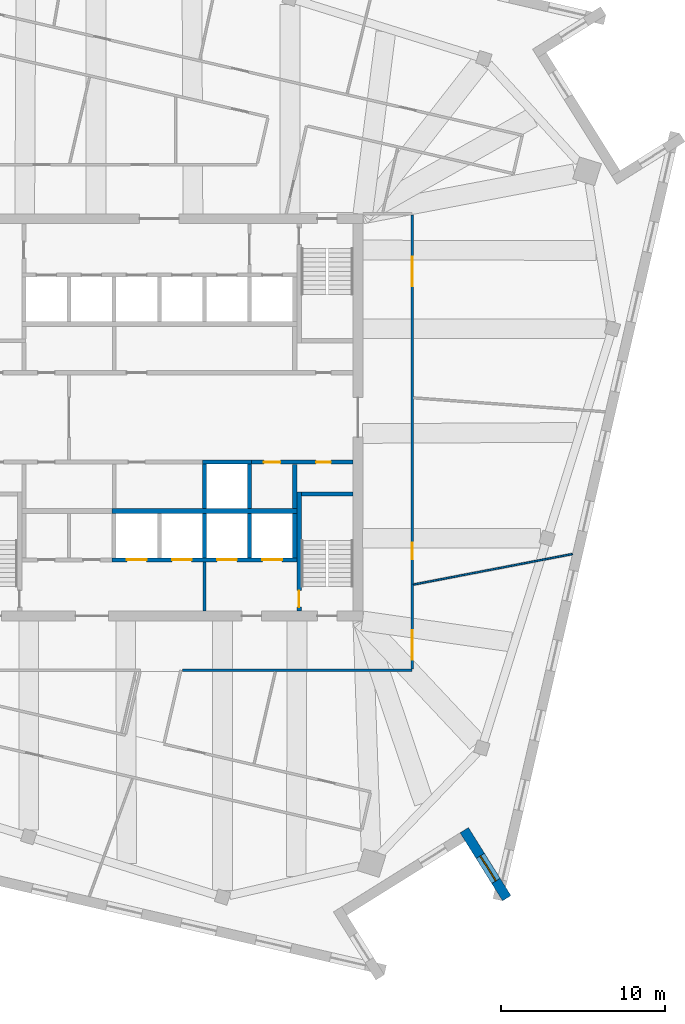
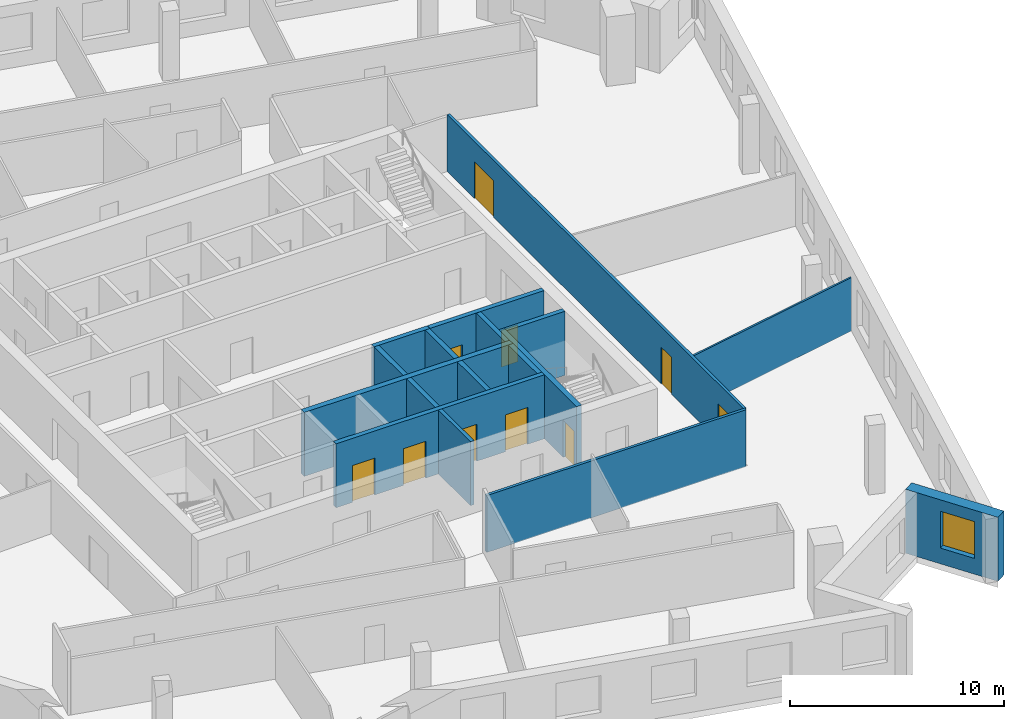
# One storey, part 7 of 14: 17 walls, 10 doors, 1 window, 11 openings.
"""IFC4 building model written with IfcOpenShell, lengths in metres."""

import ifcopenshell
import ifcopenshell.guid

model = None  # the IFC model being written
_history = None  # IfcOwnerHistory: only IFC2X3 demands one
_inside = {}  # id of a spatial element -> (the spatial element, [elements in it])
_under = {}  # id of a project, library or spatial element -> (it, [spatial elements below it])
_declared = {}  # id of a project -> (the project, [libraries it declares])
_typed = {}  # id of a type object -> (the type object, [elements of that type])
_made_of = {}  # id of a material, layer set ... -> (it, [elements and type objects made of it])


def new_model(schema):
    """Start an empty IFC model of exactly this schema.

    Asked for "IFC4X3", IfcOpenShell would pick the latest addendum, in which some entities
    have other attributes; the version numbers below select the first issue.
    IFC2X3 requires an IfcOwnerHistory on every rooted entity: one is made here for all.
    """
    global model, _history
    if schema == "IFC4X3":
        model = ifcopenshell.file(schema_version=(4, 3, 0, 0))
    else:
        model = ifcopenshell.file(schema=schema)
    _inside.clear()
    _under.clear()
    _declared.clear()
    _typed.clear()
    _made_of.clear()
    _history = None
    if model.schema == "IFC2X3":
        org = make("IfcOrganization", Name="unknown")
        user = make(
            "IfcPersonAndOrganization",
            ThePerson=make("IfcPerson", FamilyName="unknown"),
            TheOrganization=org,
        )
        app = make(
            "IfcApplication",
            ApplicationDeveloper=org,
            Version="unknown",
            ApplicationFullName="unknown",
            ApplicationIdentifier="unknown",
        )
        _history = make(
            "IfcOwnerHistory",
            OwningUser=user,
            OwningApplication=app,
            ChangeAction="ADDED",
            CreationDate=0,
        )
    return model


def make(cls, **values):
    """One entity of the class cls with the attributes given. An attribute that is None is left unset."""
    return model.create_entity(
        cls, **{name: value for name, value in values.items() if value is not None}
    )


def rooted(cls, **values):
    """An entity with a GlobalId (a new one), such as an element, a storey or a relation."""
    return make(cls, GlobalId=ifcopenshell.guid.new(), OwnerHistory=_history, **values)


def si_unit(unit_type, name, prefix=None):
    """IfcSIUnit, for example si_unit("LENGTHUNIT", "METRE", prefix="MILLI")."""
    return make("IfcSIUnit", UnitType=unit_type, Prefix=prefix, Name=name)


def assignment(units):
    """IfcUnitAssignment: the units of a project."""
    return None if units is None else make("IfcUnitAssignment", Units=units)


def point(xyz):
    """IfcCartesianPoint."""
    return None if xyz is None else make("IfcCartesianPoint", Coordinates=xyz)


def direction(xyz):
    """IfcDirection."""
    return None if xyz is None else make("IfcDirection", DirectionRatios=xyz)


def frame(location, z_axis=None, x_axis=None):
    """IfcAxis2Placement3D, a coordinate frame: its origin and axes. An axis left out is left unset."""
    return make(
        "IfcAxis2Placement3D",
        Location=point(location),
        Axis=direction(z_axis),
        RefDirection=direction(x_axis),
    )


def frame_2d(location, x_axis=None):
    """IfcAxis2Placement2D, a coordinate frame in the plane: its origin and x axis."""
    return make(
        "IfcAxis2Placement2D", Location=point(location), RefDirection=direction(x_axis)
    )


def origin():
    """The frame at (0, 0, 0) with its axes left unset."""
    return frame((0.0, 0.0, 0.0))


def place(relative_to, where):
    """IfcLocalPlacement: puts the frame where relative to a parent placement (None: the world)."""
    return make(
        "IfcLocalPlacement", PlacementRelTo=relative_to, RelativePlacement=where
    )


def context(
    kind, dimensions, precision=None, world=None, true_north=None, identifier=None
):
    """IfcGeometricRepresentationContext, for example the 3D "Model" context."""
    return make(
        "IfcGeometricRepresentationContext",
        ContextIdentifier=identifier,
        ContextType=kind,
        CoordinateSpaceDimension=dimensions,
        Precision=precision,
        WorldCoordinateSystem=world,
        TrueNorth=true_north,
    )


def subcontext(parent, identifier, kind, view, scale=None):
    """IfcGeometricRepresentationSubContext, for example "Body" below "Model"."""
    return make(
        "IfcGeometricRepresentationSubContext",
        ContextIdentifier=identifier,
        ContextType=kind,
        ParentContext=parent,
        TargetScale=scale,
        TargetView=view,
    )


def project(units=None, contexts=None):
    """IfcProject with its units and contexts."""
    return rooted(
        "IfcProject",
        Name="project",
        RepresentationContexts=contexts,
        UnitsInContext=assignment(units),
    )


def spatial(cls, under=None, at=None, **own):
    """A site, building, storey or space (cls), placed at a placement, below another one or the project."""
    s = rooted(cls, ObjectPlacement=at, **own)
    if under is not None:
        _under.setdefault(under.id(), (under, []))[1].append(s)
    return s


def profile(cls, at=None, kind="AREA", **sizes):
    """A parametric profile (cls). Its sizes go by their IFC names, for example OverallWidth=200.0."""
    return make(cls, ProfileType=kind, Position=at, **sizes)


def rectangle(**sizes):
    """IfcRectangleProfileDef."""
    return profile("IfcRectangleProfileDef", **sizes)


def extrude(swept, where, along, depth):
    """IfcExtrudedAreaSolid: the profile swept, set in the frame where, extruded along a direction by depth."""
    return make(
        "IfcExtrudedAreaSolid",
        SweptArea=swept,
        Position=where,
        ExtrudedDirection=direction(along),
        Depth=depth,
    )


def shape(context_of_items, identifier, shape_type, items):
    """IfcShapeRepresentation: the items that make up one representation, for example the "Body"."""
    return make(
        "IfcShapeRepresentation",
        ContextOfItems=context_of_items,
        RepresentationIdentifier=identifier,
        RepresentationType=shape_type,
        Items=items,
    )


def material(Name=None, Category=None):
    """IfcMaterial."""
    return make("IfcMaterial", Name=Name, Category=Category)


def layer(
    of_material, thickness, ventilated=None, Name=None, Category=None, Priority=None
):
    """IfcMaterialLayer: one layer of a wall or slab, of a material (None: an air gap)."""
    return make(
        "IfcMaterialLayer",
        Material=of_material,
        LayerThickness=thickness,
        IsVentilated=ventilated,
        Name=Name,
        Category=Category,
        Priority=Priority,
    )


def layer_set(layers, Name=None):
    """IfcMaterialLayerSet."""
    return make("IfcMaterialLayerSet", MaterialLayers=layers, LayerSetName=Name)


def made_of(thing, what):
    """Note that an element or type object is made of a material, layer set ...; save() writes the relation."""
    if what is not None:
        _made_of.setdefault(what.id(), (what, []))[1].append(thing)
    return thing


def type_object(cls, material=None, **own):
    """A type object (cls), such as IfcWallType, which elements share."""
    return made_of(rooted(cls, **own), material)


def element(
    cls,
    number,
    at=None,
    inside=None,
    cuts=None,
    type_object=None,
    material=None,
    context=None,
    identifier="Body",
    shape_type=None,
    held_by="IfcProductDefinitionShape",
    body=None,
    shapes=None,
    **own,
):
    """One element of the class cls, such as IfcWall. Its Tag is "e" and its number.

    at: its placement. inside: the storey or other place that contains it. cuts: it is an
    opening in that element (IfcRelVoidsElement). A single representation is given by context,
    identifier, shape_type and body (its items); several are given by shapes. held_by: the class
    of the entity that holds the representations. save() writes the other relations.
    """
    e = rooted(cls, Tag="e%d" % number, ObjectPlacement=at, **own)
    if body is not None:
        shapes = [shape(context, identifier, shape_type, body)]
    if shapes is not None:
        e.Representation = make(held_by, Representations=shapes)
    if inside is not None:
        _inside.setdefault(inside.id(), (inside, []))[1].append(e)
    if cuts is not None:
        rooted(
            "IfcRelVoidsElement", RelatingBuildingElement=cuts, RelatedOpeningElement=e
        )
    if type_object is not None:
        _typed.setdefault(type_object.id(), (type_object, []))[1].append(e)
    return made_of(e, material)


def fill(opening, filler):
    """IfcRelFillsElement: the door or window that sits in an opening."""
    return rooted(
        "IfcRelFillsElement",
        RelatingOpeningElement=opening,
        RelatedBuildingElement=filler,
    )


def aggregate(whole, parts):
    """IfcRelAggregates: a whole, such as a stair, and the parts it consists of."""
    return rooted("IfcRelAggregates", RelatingObject=whole, RelatedObjects=parts)


def save(model, path):
    """Write the relations noted so far, then the file.

    IfcRelAggregates (storeys below a building ...), IfcRelContainedInSpatialStructure (elements
    in a storey), IfcRelDefinesByType, IfcRelAssociatesMaterial and IfcRelDeclares: one each for
    every whole, place, type object, material and project.
    """
    for whole, parts in _under.values():
        aggregate(whole, parts)
    for where, things in _inside.values():
        rooted(
            "IfcRelContainedInSpatialStructure",
            RelatedElements=things,
            RelatingStructure=where,
        )
    for kind, things in _typed.values():
        rooted("IfcRelDefinesByType", RelatedObjects=things, RelatingType=kind)
    for what, things in _made_of.values():
        rooted("IfcRelAssociatesMaterial", RelatedObjects=things, RelatingMaterial=what)
    for by, libraries in _declared.values():
        rooted("IfcRelDeclares", RelatingContext=by, RelatedDefinitions=libraries)
    model.write(path)


model = new_model("IFC4")

# Units and contexts
model_context = context("Model", 3, precision=1e-05, world=origin(), true_north=direction((0.0, 1.0)))
body_context = subcontext(model_context, "Body", "Model", "MODEL_VIEW")
ifc_project = project(units=[si_unit("LENGTHUNIT", "METRE"), si_unit("AREAUNIT", "SQUARE_METRE"), si_unit("VOLUMEUNIT", "CUBIC_METRE"), si_unit("PLANEANGLEUNIT", "RADIAN"), si_unit("MASSUNIT", "GRAM", prefix="KILO")], contexts=[model_context])

# Site, building, storey
site_placement = place(None, origin())
site = spatial("IfcSite", under=ifc_project, at=site_placement, CompositionType="ELEMENT")
building_placement = place(site_placement, origin())
building = spatial("IfcBuilding", under=site, at=building_placement, Name="Dilmun Exchange Tower", CompositionType="ELEMENT")
storey_placement = place(building_placement, frame((0.0, 0.0, 332.5)))
storey = spatial("IfcBuildingStorey", under=building, at=storey_placement, Name="L79", CompositionType="ELEMENT", Elevation=332.5)

# Walls
ifc_material_1 = material(Name="Concrete C40/50", Category="concrete")
ifc_layer_1 = layer(ifc_material_1, 0.199951171875)
ifc_layer_set_1 = layer_set([ifc_layer_1], Name="Concrete C40/50")
wall_type_1 = type_object("IfcWallType", Name="Core partition wall 200", PredefinedType="PARTITIONING", material=ifc_layer_set_1)
wall_1_placement = place(storey_placement, frame((2.75, -11.794921875, 0.0), z_axis=(0.0, 0.0, 1.0), x_axis=(0.0, 1.0, 0.0)))
element("IfcWall", 1, at=wall_1_placement, inside=storey, type_object=wall_type_1, Name="L79 core partition wall 01", PredefinedType="PARTITIONING", context=body_context, shape_type="SweptSolid", body=[
    extrude(rectangle(XDim=2.989990234375, YDim=0.199951171875, at=frame_2d((1.4951171875, 0.0))), origin(), (0.0, 0.0, 1.0), 3.64990234375),
])
ifc_layer_2 = layer(ifc_material_1, 0.25)
ifc_layer_set_2 = layer_set([ifc_layer_2], Name="Concrete C40/50")
wall_type_2 = type_object("IfcWallType", Name="Core partition wall 250", PredefinedType="PARTITIONING", material=ifc_layer_set_2)
wall_2_placement = place(storey_placement, frame((8.25, -5.544921875, 0.0), z_axis=(0.0, 0.0, 1.0), x_axis=(0.0, 1.0, 0.0)))
element("IfcWall", 2, at=wall_2_placement, inside=storey, type_object=wall_type_2, Name="L79 core partition wall 08", PredefinedType="PARTITIONING", context=body_context, shape_type="SweptSolid", body=[
    extrude(rectangle(XDim=2.68994140625, YDim=0.25, at=frame_2d((1.344970703125, 0.0))), origin(), (0.0, 0.0, 1.0), 3.64990234375),
])

# Wall, openings, doors
wall_3_placement = place(storey_placement, frame((5.6298828125, -2.72509765625, 0.0), z_axis=(0.0, 0.0, 1.0), x_axis=(1.0, 0.0, 0.0)))
wall_3 = element("IfcWall", 3, at=wall_3_placement, inside=storey, type_object=wall_type_2, Name="L79 core partition wall 10", PredefinedType="PARTITIONING", context=body_context, shape_type="SweptSolid", body=[
    extrude(rectangle(XDim=6.1650390625, YDim=0.25, at=frame_2d((3.08251953125, 0.0))), origin(), (0.0, 0.0, 1.0), 3.64990234375),
])
opening_1_placement = place(wall_3_placement, frame((0.7451171875, 0.0, 0.0)))
opening_1 = element("IfcOpeningElement", 4, at=opening_1_placement, cuts=wall_3, Name="Opening CD4", PredefinedType="OPENING", context=body_context, shape_type="SweptSolid", body=[
    extrude(rectangle(XDim=1.0, YDim=2.10009765625, at=frame_2d((0.5, 1.050048828125))), frame((0.0, 0.135009765625, 0.0), z_axis=(0.0, -1.0, 0.0), x_axis=(1.0, 0.0, 0.0)), (0.0, 0.0, 1.0), 0.27001953125),
])
opening_2_placement = place(wall_3_placement, frame((3.919921875, 0.0, 0.0)))
opening_2 = element("IfcOpeningElement", 5, at=opening_2_placement, cuts=wall_3, Name="Opening CD6", PredefinedType="OPENING", context=body_context, shape_type="SweptSolid", body=[
    extrude(rectangle(XDim=0.89990234375, YDim=2.10009765625, at=frame_2d((0.449951171875, 1.050048828125))), frame((0.0, 0.135009765625, 0.0), z_axis=(0.0, -1.0, 0.0), x_axis=(1.0, 0.0, 0.0)), (0.0, 0.0, 1.0), 0.27001953125),
])
ifc_material_2 = material(Name="Fire-rated steel door set", Category="steel")
door_type_1 = type_object("IfcDoorType", Name="Core room door 1000x2100", OperationType="SINGLE_SWING_LEFT", PredefinedType="DOOR", material=ifc_material_2)
door_1_placement = place(opening_1_placement, origin())
door_1 = element("IfcDoor", 6, at=door_1_placement, inside=storey, type_object=door_type_1, Name="L79 door Cleaners' store", OperationType="SINGLE_SWING_RIGHT", OverallHeight=2.10009765625, OverallWidth=1.0, PredefinedType="DOOR", context=body_context, shape_type="SweptSolid", body=[
    extrude(rectangle(XDim=1.0, YDim=2.10009765625, at=frame_2d((0.5, 1.050048828125))), frame((0.0, 0.02490234375, 0.0), z_axis=(0.0, -1.0, 0.0), x_axis=(1.0, 0.0, 0.0)), (0.0, 0.0, 1.0), 0.050048828125),
])
fill(opening_1, door_1)
door_type_2 = type_object("IfcDoorType", Name="Core room door 900x2100", OperationType="SINGLE_SWING_LEFT", PredefinedType="DOOR", material=ifc_material_2)
door_2_placement = place(opening_2_placement, origin())
door_2 = element("IfcDoor", 7, at=door_2_placement, inside=storey, type_object=door_type_2, Name="L79 door Comms riser", OperationType="SINGLE_SWING_RIGHT", OverallHeight=2.10009765625, OverallWidth=0.89990234375, PredefinedType="DOOR", context=body_context, shape_type="SweptSolid", body=[
    extrude(rectangle(XDim=0.89990234375, YDim=2.10009765625, at=frame_2d((0.449951171875, 1.050048828125))), frame((0.0, 0.02490234375, 0.0), z_axis=(0.0, -1.0, 0.0), x_axis=(1.0, 0.0, 0.0)), (0.0, 0.0, 1.0), 0.050048828125),
])
fill(opening_2, door_2)

# Wall
ifc_material_3 = material(Name="Corridor wall 150")
ifc_layer_3 = layer(ifc_material_3, 0.14990234375)
ifc_layer_set_3 = layer_set([ifc_layer_3], Name="Corridor wall 150")
wall_type_3 = type_object("IfcWallType", Name="Corridor wall 150", PredefinedType="PARTITIONING", material=ifc_layer_set_3)
wall_4_placement = place(storey_placement, frame((1.40625, -15.39990234375, 0.0), z_axis=(0.0, 0.0, 1.0), x_axis=(1.0, 0.0, 0.0)))
element("IfcWall", 8, at=wall_4_placement, inside=storey, type_object=wall_type_3, Name="Corridor wall", PredefinedType="PARTITIONING", context=body_context, shape_type="SweptSolid", body=[
    extrude(rectangle(XDim=13.99365234375, YDim=0.14990234375, at=frame_2d((6.996826171875, 0.0))), origin(), (0.0, 0.0, 1.0), 3.25),
])

# Wall, openings, doors
wall_5_placement = place(storey_placement, frame((15.39990234375, -15.324951171875, 0.0), z_axis=(0.0, 0.0, 1.0), x_axis=(0.0, 1.0, 0.0)))
wall_5 = element("IfcWall", 9, at=wall_5_placement, inside=storey, type_object=wall_type_3, Name="Corridor wall", PredefinedType="PARTITIONING", context=body_context, shape_type="SweptSolid", body=[
    extrude(rectangle(XDim=27.64990234375, YDim=0.14990234375, at=frame_2d((13.824951171875, 0.0))), origin(), (0.0, 0.0, 1.0), 3.25),
])
opening_3_placement = place(wall_5_placement, frame((0.550048828125, 0.0, 0.0)))
opening_3 = element("IfcOpeningElement", 10, at=opening_3_placement, cuts=wall_5, Name="Opening TF79-D15", PredefinedType="OPENING", context=body_context, shape_type="SweptSolid", body=[
    extrude(rectangle(XDim=1.800048828125, YDim=2.10009765625, at=frame_2d((0.89990234375, 1.050048828125))), frame((0.0, 0.0849609375, 0.0), z_axis=(0.0, -1.0, 0.0), x_axis=(1.0, 0.0, 0.0)), (0.0, 0.0, 1.0), 0.169921875),
])
opening_4_placement = place(wall_5_placement, frame((6.677734375, 0.0, 0.0)))
opening_4 = element("IfcOpeningElement", 11, at=opening_4_placement, cuts=wall_5, Name="Opening TF79-D17", PredefinedType="OPENING", context=body_context, shape_type="SweptSolid", body=[
    extrude(rectangle(XDim=1.0, YDim=2.10009765625, at=frame_2d((0.5, 1.050048828125))), frame((0.0, 0.0849609375, 0.0), z_axis=(0.0, -1.0, 0.0), x_axis=(1.0, 0.0, 0.0)), (0.0, 0.0, 1.0), 0.169921875),
])
opening_5_placement = place(wall_5_placement, frame((23.322021484375, 0.0, 0.0)))
opening_5 = element("IfcOpeningElement", 12, at=opening_5_placement, cuts=wall_5, Name="Opening TF79-D18", PredefinedType="OPENING", context=body_context, shape_type="SweptSolid", body=[
    extrude(rectangle(XDim=1.800048828125, YDim=2.10009765625, at=frame_2d((0.89990234375, 1.050048828125))), frame((0.0, 0.0849609375, 0.0), z_axis=(0.0, -1.0, 0.0), x_axis=(1.0, 0.0, 0.0)), (0.0, 0.0, 1.0), 0.169921875),
])
ifc_material_4 = material(Name="Fire door 1000 x 2100")
door_type_3 = type_object("IfcDoorType", Name="Fire door 1000 x 2100", OperationType="NOTDEFINED", PredefinedType="DOOR", material=ifc_material_4)
door_3_placement = place(opening_4_placement, frame((1.0, 0.0, 0.0), z_axis=(0.0, 0.0, 1.0), x_axis=(-1.0, 0.0, 0.0)))
door_3 = element("IfcDoor", 13, at=door_3_placement, inside=storey, type_object=door_type_3, Name="Door TF79-D17", OperationType="SINGLE_SWING_LEFT", OverallHeight=2.10009765625, OverallWidth=1.0, PredefinedType="DOOR", context=body_context, shape_type="SweptSolid", body=[
    extrude(rectangle(XDim=1.0, YDim=2.10009765625, at=frame_2d((0.5, 1.050048828125))), frame((0.0, 0.02490234375, 0.0), z_axis=(0.0, -1.0, 0.0), x_axis=(1.0, 0.0, 0.0)), (0.0, 0.0, 1.0), 0.050048828125),
])
fill(opening_4, door_3)
ifc_material_5 = material(Name="Fire door pair 1800 x 2100")
door_type_4 = type_object("IfcDoorType", Name="Fire door pair 1800 x 2100", OperationType="NOTDEFINED", PredefinedType="DOOR", material=ifc_material_5)
door_4_placement = place(opening_3_placement, frame((1.800048828125, 0.0, 0.0), z_axis=(0.0, 0.0, 1.0), x_axis=(-1.0, 0.0, 0.0)))
door_4 = element("IfcDoor", 14, at=door_4_placement, inside=storey, type_object=door_type_4, Name="Door TF79-D15", OperationType="DOUBLE_DOOR_SINGLE_SWING", OverallHeight=2.10009765625, OverallWidth=1.800048828125, PredefinedType="DOOR", context=body_context, shape_type="SweptSolid", body=[
    extrude(rectangle(XDim=1.800048828125, YDim=2.10009765625, at=frame_2d((0.89990234375, 1.050048828125))), frame((0.0, 0.02490234375, 0.0), z_axis=(0.0, -1.0, 0.0), x_axis=(1.0, 0.0, 0.0)), (0.0, 0.0, 1.0), 0.050048828125),
])
fill(opening_3, door_4)
door_5_placement = place(opening_5_placement, frame((1.800048828125, 0.0, 0.0), z_axis=(0.0, 0.0, 1.0), x_axis=(-1.0, 0.0, 0.0)))
door_5 = element("IfcDoor", 15, at=door_5_placement, inside=storey, type_object=door_type_4, Name="Door TF79-D18", OperationType="DOUBLE_DOOR_SINGLE_SWING", OverallHeight=2.10009765625, OverallWidth=1.800048828125, PredefinedType="DOOR", context=body_context, shape_type="SweptSolid", body=[
    extrude(rectangle(XDim=1.800048828125, YDim=2.10009765625, at=frame_2d((0.89990234375, 1.050048828125))), frame((0.0, 0.02490234375, 0.0), z_axis=(0.0, -1.0, 0.0), x_axis=(1.0, 0.0, 0.0)), (0.0, 0.0, 1.0), 0.050048828125),
])
fill(opening_5, door_5)

# Walls
ifc_layer_4 = layer(ifc_material_1, 0.300048828125)
ifc_layer_set_4 = layer_set([ifc_layer_4], Name="Concrete C40/50")
wall_type_4 = type_object("IfcWallType", Name="Lift shaft shared wall 300", PredefinedType="SOLIDWALL", material=ifc_layer_set_4)
wall_6_placement = place(storey_placement, frame((-2.875, -5.699951171875, 0.0), z_axis=(0.0, 0.0, 1.0), x_axis=(1.0, 0.0, 0.0)))
element("IfcWall", 16, at=wall_6_placement, inside=storey, type_object=wall_type_4, Name="L79 lift shaft rear wall S", PredefinedType="SOLIDWALL", context=body_context, shape_type="SweptSolid", body=[
    extrude(rectangle(XDim=11.25, YDim=0.300048828125, at=frame_2d((5.625, 0.0))), origin(), (0.0, 0.0, 1.0), 3.64990234375),
])
ifc_layer_5 = layer(ifc_material_1, 0.25)
ifc_layer_set_5 = layer_set([ifc_layer_5], Name="Concrete C40/50")
wall_type_5 = type_object("IfcWallType", Name="Lift shaft wall 250", PredefinedType="SOLIDWALL", material=ifc_layer_set_5)
wall_7_placement = place(storey_placement, frame((2.625, -2.72509765625, 0.0), z_axis=(0.0, 0.0, 1.0), x_axis=(1.0, 0.0, 0.0)))
element("IfcWall", 17, at=wall_7_placement, inside=storey, type_object=wall_type_5, Name="L79 lift shaft front wall S1", PredefinedType="SOLIDWALL", context=body_context, shape_type="SweptSolid", body=[
    extrude(rectangle(XDim=3.0, YDim=0.25, at=frame_2d((1.5, 0.0))), origin(), (0.0, 0.0, 1.0), 3.64990234375),
])
for number, where, z_axis, x_axis, name in (
    (18, (2.75, -5.550048828125, 0.0), (0.0, 0.0, 1.0), (0.0, 1.0, 0.0), "L79 lift shaft divider S14"),
    (19, (5.5, -5.550048828125, 0.0), (0.0, 0.0, 1.0), (0.0, 1.0, 0.0), "L79 lift shaft divider S15"),
):
    element("IfcWall", number, at=place(storey_placement, frame(where, z_axis=z_axis, x_axis=x_axis)), inside=storey, type_object=wall_type_5, Name=name, PredefinedType="SOLIDWALL", context=body_context, shape_type="SweptSolid", body=[
        extrude(rectangle(XDim=2.699951171875, YDim=0.25, at=frame_2d((1.35009765625, 0.0))), origin(), (0.0, 0.0, 1.0), 3.64990234375),
    ])

# Wall, openings, doors
wall_8_placement = place(storey_placement, frame((-2.875, -8.675048828125, 0.0), z_axis=(0.0, 0.0, 1.0), x_axis=(1.0, 0.0, 0.0)))
wall_8 = element("IfcWall", 20, at=wall_8_placement, inside=storey, type_object=wall_type_5, Name="L79 lift shaft front wall S2", PredefinedType="SOLIDWALL", context=body_context, shape_type="SweptSolid", body=[
    extrude(rectangle(XDim=11.25, YDim=0.25, at=frame_2d((5.625, 0.0))), origin(), (0.0, 0.0, 1.0), 3.64990234375),
])
opening_6_placement = place(wall_8_placement, frame((0.89990234375, 0.0, 0.0)))
opening_6 = element("IfcOpeningElement", 21, at=opening_6_placement, cuts=wall_8, Name="Opening LD", PredefinedType="OPENING", context=body_context, shape_type="SweptSolid", body=[
    extrude(rectangle(XDim=1.199951171875, YDim=2.10009765625, at=frame_2d((0.60009765625, 1.050048828125))), frame((0.0, 0.135009765625, 0.0), z_axis=(0.0, -1.0, 0.0), x_axis=(1.0, 0.0, 0.0)), (0.0, 0.0, 1.0), 0.27001953125),
])
opening_7_placement = place(wall_8_placement, frame((3.64990234375, 0.0, 0.0)))
opening_7 = element("IfcOpeningElement", 22, at=opening_7_placement, cuts=wall_8, Name="Opening LD", PredefinedType="OPENING", context=body_context, shape_type="SweptSolid", body=[
    extrude(rectangle(XDim=1.199951171875, YDim=2.10009765625, at=frame_2d((0.60009765625, 1.050048828125))), frame((0.0, 0.135009765625, 0.0), z_axis=(0.0, -1.0, 0.0), x_axis=(1.0, 0.0, 0.0)), (0.0, 0.0, 1.0), 0.27001953125),
])
opening_8_placement = place(wall_8_placement, frame((6.39990234375, 0.0, 0.0)))
opening_8 = element("IfcOpeningElement", 23, at=opening_8_placement, cuts=wall_8, Name="Opening LD", PredefinedType="OPENING", context=body_context, shape_type="SweptSolid", body=[
    extrude(rectangle(XDim=1.199951171875, YDim=2.10009765625, at=frame_2d((0.60009765625, 1.050048828125))), frame((0.0, 0.135009765625, 0.0), z_axis=(0.0, -1.0, 0.0), x_axis=(1.0, 0.0, 0.0)), (0.0, 0.0, 1.0), 0.27001953125),
])
opening_9_placement = place(wall_8_placement, frame((9.14990234375, 0.0, 0.0)))
opening_9 = element("IfcOpeningElement", 24, at=opening_9_placement, cuts=wall_8, Name="Opening LD", PredefinedType="OPENING", context=body_context, shape_type="SweptSolid", body=[
    extrude(rectangle(XDim=1.199951171875, YDim=2.10009765625, at=frame_2d((0.60009765625, 1.050048828125))), frame((0.0, 0.135009765625, 0.0), z_axis=(0.0, -1.0, 0.0), x_axis=(1.0, 0.0, 0.0)), (0.0, 0.0, 1.0), 0.27001953125),
])
door_type_5 = type_object("IfcDoorType", Name="Lift landing door 1200x2100", OperationType="DOUBLE_DOOR_SLIDING", PredefinedType="DOOR", material=ifc_material_2)
door_6_placement = place(opening_6_placement, origin())
door_6 = element("IfcDoor", 25, at=door_6_placement, inside=storey, type_object=door_type_5, Name="L79 landing door SV1", OperationType="DOUBLE_DOOR_SLIDING", OverallHeight=2.10009765625, OverallWidth=1.199951171875, PredefinedType="DOOR", context=body_context, shape_type="SweptSolid", body=[
    extrude(rectangle(XDim=1.199951171875, YDim=2.10009765625, at=frame_2d((0.60009765625, 1.050048828125))), frame((0.0, 0.02490234375, 0.0), z_axis=(0.0, -1.0, 0.0), x_axis=(1.0, 0.0, 0.0)), (0.0, 0.0, 1.0), 0.050048828125),
])
fill(opening_6, door_6)
door_7_placement = place(opening_7_placement, origin())
door_7 = element("IfcDoor", 26, at=door_7_placement, inside=storey, type_object=door_type_5, Name="L79 landing door SV2", OperationType="DOUBLE_DOOR_SLIDING", OverallHeight=2.10009765625, OverallWidth=1.199951171875, PredefinedType="DOOR", context=body_context, shape_type="SweptSolid", body=[
    extrude(rectangle(XDim=1.199951171875, YDim=2.10009765625, at=frame_2d((0.60009765625, 1.050048828125))), frame((0.0, 0.02490234375, 0.0), z_axis=(0.0, -1.0, 0.0), x_axis=(1.0, 0.0, 0.0)), (0.0, 0.0, 1.0), 0.050048828125),
])
fill(opening_7, door_7)
door_8_placement = place(opening_8_placement, origin())
door_8 = element("IfcDoor", 27, at=door_8_placement, inside=storey, type_object=door_type_5, Name="L79 landing door FF1", OperationType="DOUBLE_DOOR_SLIDING", OverallHeight=2.10009765625, OverallWidth=1.199951171875, PredefinedType="DOOR", context=body_context, shape_type="SweptSolid", body=[
    extrude(rectangle(XDim=1.199951171875, YDim=2.10009765625, at=frame_2d((0.60009765625, 1.050048828125))), frame((0.0, 0.02490234375, 0.0), z_axis=(0.0, -1.0, 0.0), x_axis=(1.0, 0.0, 0.0)), (0.0, 0.0, 1.0), 0.050048828125),
])
fill(opening_8, door_8)
door_9_placement = place(opening_9_placement, origin())
door_9 = element("IfcDoor", 28, at=door_9_placement, inside=storey, type_object=door_type_5, Name="L79 landing door FF2", OperationType="DOUBLE_DOOR_SLIDING", OverallHeight=2.10009765625, OverallWidth=1.199951171875, PredefinedType="DOOR", context=body_context, shape_type="SweptSolid", body=[
    extrude(rectangle(XDim=1.199951171875, YDim=2.10009765625, at=frame_2d((0.60009765625, 1.050048828125))), frame((0.0, 0.02490234375, 0.0), z_axis=(0.0, -1.0, 0.0), x_axis=(1.0, 0.0, 0.0)), (0.0, 0.0, 1.0), 0.050048828125),
])
fill(opening_9, door_9)

# Walls
for number, where, z_axis, x_axis, name in (
    (29, (2.75, -8.550048828125, 0.0), (0.0, 0.0, 1.0), (0.0, 1.0, 0.0), "L79 lift shaft divider S24"),
    (30, (5.5, -8.550048828125, 0.0), (0.0, 0.0, 1.0), (0.0, 1.0, 0.0), "L79 lift shaft divider S25"),
    (31, (8.25, -8.550048828125, 0.0), (0.0, 0.0, 1.0), (0.0, 1.0, 0.0), "L79 lift shaft divider S26"),
):
    element("IfcWall", number, at=place(storey_placement, frame(where, z_axis=z_axis, x_axis=x_axis)), inside=storey, type_object=wall_type_5, Name=name, PredefinedType="SOLIDWALL", context=body_context, shape_type="SweptSolid", body=[
        extrude(rectangle(XDim=2.699951171875, YDim=0.25, at=frame_2d((1.35009765625, 0.0))), origin(), (0.0, 0.0, 1.0), 3.64990234375),
    ])
ifc_material_6 = material(Name="Partition 100")
ifc_layer_6 = layer(ifc_material_6, 0.10009765625)
ifc_layer_set_6 = layer_set([ifc_layer_6], Name="Partition 100")
wall_type_6 = type_object("IfcWallType", Name="Partition 100", PredefinedType="PARTITIONING", material=ifc_layer_set_6)
wall_9_placement = place(storey_placement, frame((15.484375, -10.180908203125, 0.0), z_axis=(0.0, 0.0, 1.0), x_axis=(0.982063248181, 0.188551787506, 0.0)))
element("IfcWall", 32, at=wall_9_placement, inside=storey, type_object=wall_type_6, Name="Partition", PredefinedType="PARTITIONING", context=body_context, shape_type="SweptSolid", body=[
    extrude(rectangle(XDim=9.864013671875, YDim=0.10009765625, at=frame_2d((4.93212890625, 0.0))), origin(), (0.0, 0.0, 1.0), 3.050048828125),
])

# Wall, opening, window
ifc_material_7 = material(Name="Precast concrete C50/60", Category="concrete")
ifc_layer_7 = layer(ifc_material_7, 0.60009765625)
ifc_layer_set_7 = layer_set([ifc_layer_7], Name="Precast concrete C50/60")
wall_type_7 = type_object("IfcWallType", Name="Precast stone-clad wall 600", PredefinedType="STANDARD", material=ifc_layer_set_7)
wall_10_placement = place(storey_placement, frame((18.576904296875, -25.146240234375, 0.0), z_axis=(0.0, 0.0, 1.0), x_axis=(0.529954020527, -0.848026377024, 0.0)))
wall_10 = element("IfcWall", 33, at=wall_10_placement, inside=storey, type_object=wall_type_7, Name="Facade wall L79-10", PredefinedType="STANDARD", context=body_context, shape_type="SweptSolid", body=[
    extrude(rectangle(XDim=4.885498046875, YDim=0.60009765625, at=frame_2d((2.44287109375, 0.0))), origin(), (0.0, 0.0, 1.0), 3.64990234375),
])
opening_10_placement = place(wall_10_placement, frame((1.8427734375, 0.0, 0.89990234375)))
opening_10 = element("IfcOpeningElement", 34, at=opening_10_placement, cuts=wall_10, Name="Opening W180-210", PredefinedType="OPENING", context=body_context, shape_type="SweptSolid", body=[
    extrude(rectangle(XDim=1.800048828125, YDim=2.10009765625, at=frame_2d((0.89990234375, 1.050048828125))), frame((0.0, 0.31005859375, 0.0), z_axis=(0.0, -1.0, 0.0), x_axis=(1.0, 0.0, 0.0)), (0.0, 0.0, 1.0), 0.6201171875),
])
ifc_material_8 = material(Name="Clear low-emissivity glass in aluminium frame", Category="aluminium")
window_type = type_object("IfcWindowType", Name="Punched window 1800 x 2100", PartitioningType="DOUBLE_PANEL_VERTICAL", PredefinedType="WINDOW", material=ifc_material_8)
window_placement = place(opening_10_placement, origin())
window = element("IfcWindow", 35, at=window_placement, inside=storey, type_object=window_type, Name="Window 11.1", OverallHeight=2.10009765625, OverallWidth=1.800048828125, PartitioningType="SINGLE_PANEL", PredefinedType="WINDOW", context=body_context, shape_type="SweptSolid", body=[
    extrude(rectangle(XDim=1.800048828125, YDim=2.10009765625, at=frame_2d((0.89990234375, 1.050048828125))), frame((0.0, 0.030029296875, 0.0), z_axis=(0.0, -1.0, 0.0), x_axis=(1.0, 0.0, 0.0)), (0.0, 0.0, 1.0), 0.06005859375),
])
fill(opening_10, window)

# Wall
ifc_layer_8 = layer(ifc_material_1, 0.25)
ifc_layer_set_8 = layer_set([ifc_layer_8], Name="Concrete C40/50")
wall_type_8 = type_object("IfcWallType", Name="Stair end wall 250", PredefinedType="SOLIDWALL", material=ifc_layer_set_8)
wall_11_placement = place(storey_placement, frame((8.64990234375, -4.675048828125, 0.0), z_axis=(0.0, 0.0, 1.0), x_axis=(1.0, 0.0, 0.0)))
element("IfcWall", 36, at=wall_11_placement, inside=storey, type_object=wall_type_8, Name="L79 ST3 far wall", PredefinedType="SOLIDWALL", context=body_context, shape_type="SweptSolid", body=[
    extrude(rectangle(XDim=3.150146484375, YDim=0.25, at=frame_2d((1.5751953125, 0.0))), origin(), (0.0, 0.0, 1.0), 3.64990234375),
])

# Wall, opening, door
ifc_layer_9 = layer(ifc_material_1, 0.27490234375)
ifc_layer_set_9 = layer_set([ifc_layer_9], Name="Concrete C40/50")
wall_type_9 = type_object("IfcWallType", Name="Stair wall 275", PredefinedType="SOLIDWALL", material=ifc_layer_set_9)
wall_12_placement = place(storey_placement, frame((8.512451171875, -4.550048828125, 0.0), z_axis=(0.0, 0.0, 1.0), x_axis=(0.0, -1.0, 0.0)))
wall_12 = element("IfcWall", 37, at=wall_12_placement, inside=storey, type_object=wall_type_9, Name="L79 ST3 wall to lift block", PredefinedType="SOLIDWALL", context=body_context, shape_type="SweptSolid", body=[
    extrude(rectangle(XDim=7.25, YDim=0.27490234375, at=frame_2d((3.625, 0.0))), origin(), (0.0, 0.0, 1.0), 3.64990234375),
])
opening_11_placement = place(wall_12_placement, frame((6.0, 0.0, 0.0)))
opening_11 = element("IfcOpeningElement", 38, at=opening_11_placement, cuts=wall_12, Name="Opening CD4", PredefinedType="OPENING", context=body_context, shape_type="SweptSolid", body=[
    extrude(rectangle(XDim=1.0, YDim=2.10009765625, at=frame_2d((0.5, 1.050048828125))), frame((0.0, 0.1474609375, 0.0), z_axis=(0.0, -1.0, 0.0), x_axis=(1.0, 0.0, 0.0)), (0.0, 0.0, 1.0), 0.294921875),
])
door_10_placement = place(opening_11_placement, origin())
door_10 = element("IfcDoor", 39, at=door_10_placement, inside=storey, type_object=door_type_1, Name="L79 door ST3 from lobby", OperationType="SINGLE_SWING_LEFT", OverallHeight=2.10009765625, OverallWidth=1.0, PredefinedType="DOOR", context=body_context, shape_type="SweptSolid", body=[
    extrude(rectangle(XDim=1.0, YDim=2.10009765625, at=frame_2d((0.5, 1.050048828125))), frame((0.0, 0.02490234375, 0.0), z_axis=(0.0, -1.0, 0.0), x_axis=(1.0, 0.0, 0.0)), (0.0, 0.0, 1.0), 0.050048828125),
])
fill(opening_11, door_10)

save(model, "model.ifc")
